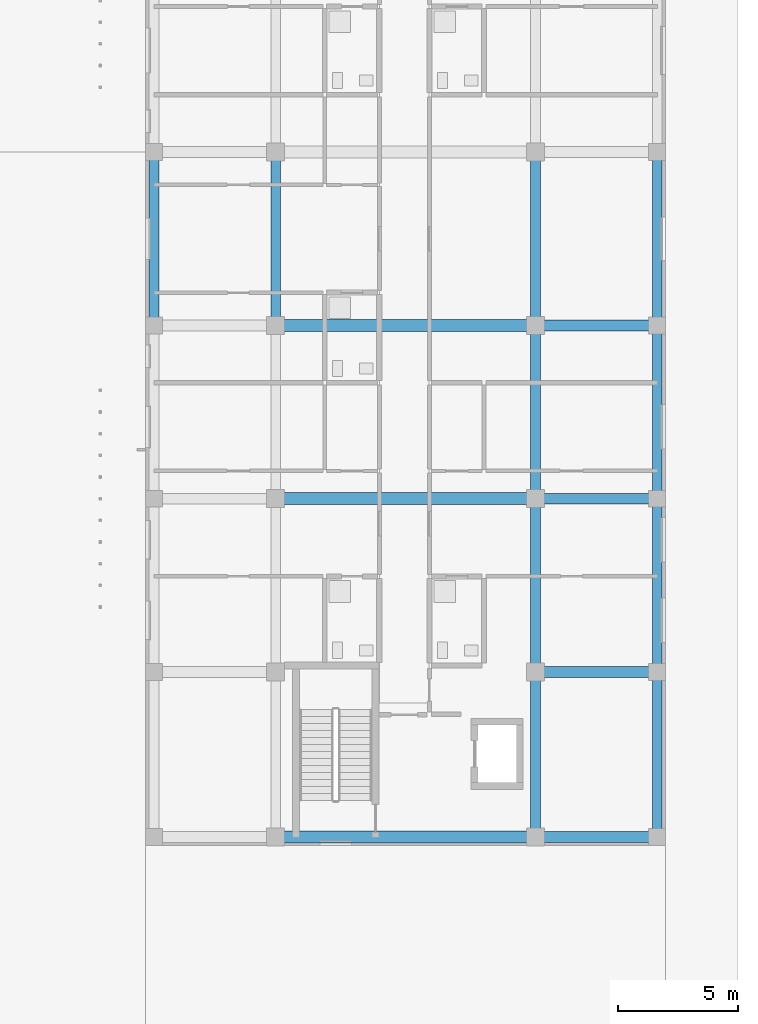
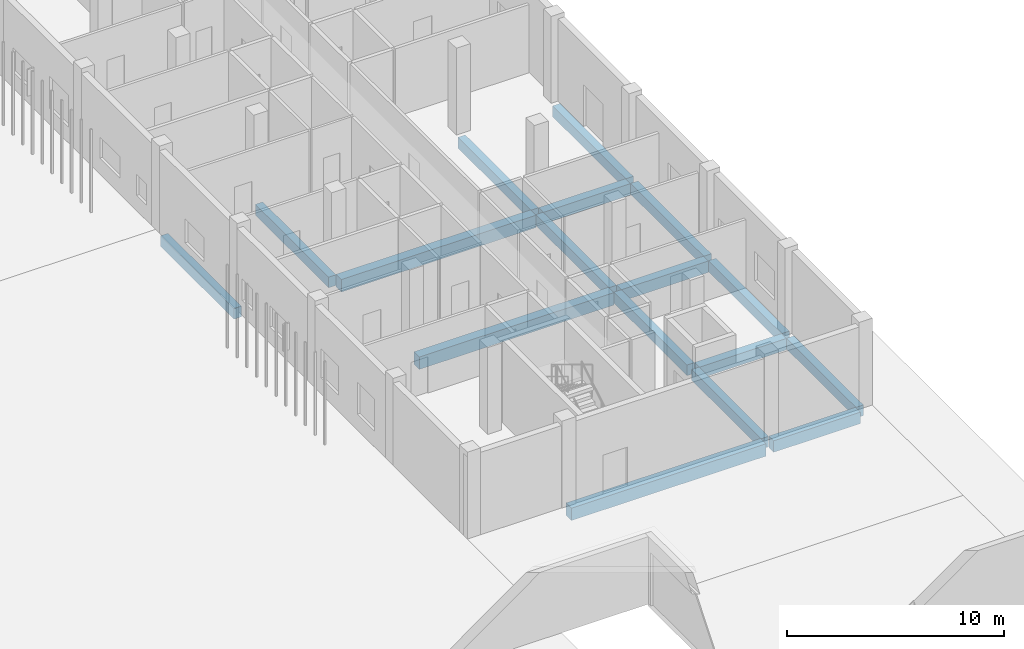
# One storey, part 27 of 85: 17 beams.
"""IFC4 building model written with IfcOpenShell, lengths in metres."""

from ifc_helpers import new_model, si_unit, derived_unit, direction, frame, origin, origin_2d, place, context, subcontext, project, spatial, rectangle, extrude, material, material_profile, profile_set, type_object, element, save


model = new_model("IFC4")

# Units and contexts
model_context = context("Model", 3, precision=1e-05, world=origin(), true_north=direction((0.0, 1.0)))
body_context = subcontext(model_context, "Body", "Model", "MODEL_VIEW")
ifc_project = project(units=[si_unit("LENGTHUNIT", "METRE"), si_unit("AREAUNIT", "SQUARE_METRE"), si_unit("VOLUMEUNIT", "CUBIC_METRE"), si_unit("PLANEANGLEUNIT", "RADIAN"), si_unit("MASSUNIT", "GRAM", prefix="KILO"), derived_unit("THERMALTRANSMITTANCEUNIT", [(si_unit("MASSUNIT", "GRAM", prefix="KILO"), 1), (si_unit("TIMEUNIT", "SECOND"), -3), (si_unit("THERMODYNAMICTEMPERATUREUNIT", "KELVIN"), -1)])], contexts=[model_context])

# Site, building, storey
site_placement = place(None, origin())
site = spatial("IfcSite", under=ifc_project, at=site_placement, CompositionType="ELEMENT")
building_placement = place(site_placement, origin())
building = spatial("IfcBuilding", under=site, at=building_placement, Name="Ochrekiln Boulevard Commons", CompositionType="ELEMENT")
storey_placement = place(building_placement, origin())
storey = spatial("IfcBuildingStorey", under=building, at=storey_placement, Name="L00", CompositionType="ELEMENT", Elevation=0.0)

# Beams
ifc_material_1 = material(Name="Concrete C35/45", Category="concrete")
ifc_material_profile_1 = material_profile(ifc_material_1, rectangle(XDim=0.39990234375, YDim=0.60009765625, at=origin_2d()), Name="RC-BM-400x600")
ifc_profile_set_1 = profile_set([ifc_material_profile_1], Name="Concrete C35/45")
beam_type_1 = type_object("IfcBeamType", Name="BM-RC-400x600", PredefinedType="BEAM", material=ifc_profile_set_1)
for number, where, z_axis, x_axis, name in (
    (1, (151.550048828125, 90.2099609375, -0.580078125), (0.0, 1.0, 0.0), (-1.0, 0.0, 0.0), "Block B L00 Beam B-4060 Y26"),
    (2, (156.60009765625, 90.2099609375, -0.580078125), (0.0, 1.0, 0.0), (-1.0, 0.0, 0.0), "Block B L00 Beam B-4060 Y33"),
):
    element("IfcBeam", number, at=place(storey_placement, frame(where, z_axis=z_axis, x_axis=x_axis)), inside=storey, type_object=beam_type_1, Name=name, PredefinedType="BEAM", context=body_context, shape_type="SweptSolid", body=[
        extrude(rectangle(XDim=0.39990234375, YDim=0.60009765625, at=origin_2d()), origin(), (0.0, 0.0, 1.0), 6.780029296875),
    ])
beam_1_placement = place(storey_placement, frame((167.39990234375, 68.9599609375, -0.580078125), z_axis=(0.0, 1.0, 0.0), x_axis=(-1.0, 0.0, 0.0)))
element("IfcBeam", 3, at=beam_1_placement, inside=storey, type_object=beam_type_1, Name="Block B L00 Beam B-4060 Y37", PredefinedType="BEAM", context=body_context, shape_type="SweptSolid", body=[
    extrude(rectangle(XDim=0.39990234375, YDim=0.60009765625, at=origin_2d()), origin(), (0.0, 0.0, 1.0), 6.429931640625),
])
for number, where, z_axis, x_axis, name in (
    (4, (167.39990234375, 75.81005859375, -0.580078125), (0.0, 1.0, 0.0), (-1.0, 0.0, 0.0), "Block B L00 Beam B-4060 Y38"),
    (5, (167.39990234375, 83.010009765625, -0.580078125), (0.0, 1.0, 0.0), (-1.0, 0.0, 0.0), "Block B L00 Beam B-4060 Y39"),
    (6, (167.39990234375, 90.2099609375, -0.580078125), (0.0, 1.0, 0.0), (-1.0, 0.0, 0.0), "Block B L00 Beam B-4060 Y40"),
):
    element("IfcBeam", number, at=place(storey_placement, frame(where, z_axis=z_axis, x_axis=x_axis)), inside=storey, type_object=beam_type_1, Name=name, PredefinedType="BEAM", context=body_context, shape_type="SweptSolid", body=[
        extrude(rectangle(XDim=0.39990234375, YDim=0.60009765625, at=origin_2d()), origin(), (0.0, 0.0, 1.0), 6.780029296875),
    ])
beam_2_placement = place(storey_placement, frame((172.449951171875, 68.9599609375, -0.580078125), z_axis=(0.0, 1.0, 0.0), x_axis=(-1.0, 0.0, 0.0)))
element("IfcBeam", 7, at=beam_2_placement, inside=storey, type_object=beam_type_1, Name="Block B L00 Beam B-4060 Y44", PredefinedType="BEAM", context=body_context, shape_type="SweptSolid", body=[
    extrude(rectangle(XDim=0.39990234375, YDim=0.60009765625, at=origin_2d()), origin(), (0.0, 0.0, 1.0), 6.429931640625),
])
for number, where, z_axis, x_axis, name in (
    (8, (172.449951171875, 75.81005859375, -0.580078125), (0.0, 1.0, 0.0), (-1.0, 0.0, 0.0), "Block B L00 Beam B-4060 Y45"),
    (9, (172.449951171875, 83.010009765625, -0.580078125), (0.0, 1.0, 0.0), (-1.0, 0.0, 0.0), "Block B L00 Beam B-4060 Y46"),
    (10, (172.449951171875, 90.2099609375, -0.580078125), (0.0, 1.0, 0.0), (-1.0, 0.0, 0.0), "Block B L00 Beam B-4060 Y47"),
):
    element("IfcBeam", number, at=place(storey_placement, frame(where, z_axis=z_axis, x_axis=x_axis)), inside=storey, type_object=beam_type_1, Name=name, PredefinedType="BEAM", context=body_context, shape_type="SweptSolid", body=[
        extrude(rectangle(XDim=0.39990234375, YDim=0.60009765625, at=origin_2d()), origin(), (0.0, 0.0, 1.0), 6.780029296875),
    ])
ifc_material_profile_2 = material_profile(ifc_material_1, rectangle(XDim=0.449951171875, YDim=0.64990234375, at=origin_2d()), Name="RC-BM-450x650")
ifc_profile_set_2 = profile_set([ifc_material_profile_2], Name="Concrete C35/45")
beam_type_2 = type_object("IfcBeamType", Name="BM-RC-450x650", PredefinedType="BEAM", material=ifc_profile_set_2)
for number, where, z_axis, x_axis, name in (
    (11, (167.610107421875, 68.75, -0.60498046875), (1.0, 0.0, 0.0), (0.0, 1.0, 0.0), "Block B L00 Beam B-4565 X3"),
    (12, (167.610107421875, 75.60009765625, -0.60498046875), (1.0, 0.0, 0.0), (0.0, 1.0, 0.0), "Block B L00 Beam B-4565 X5"),
    (13, (167.610107421875, 82.800048828125, -0.60498046875), (1.0, 0.0, 0.0), (0.0, 1.0, 0.0), "Block B L00 Beam B-4565 X8"),
    (14, (167.610107421875, 90.0, -0.60498046875), (1.0, 0.0, 0.0), (0.0, 1.0, 0.0), "Block B L00 Beam B-4565 X11"),
):
    element("IfcBeam", number, at=place(storey_placement, frame(where, z_axis=z_axis, x_axis=x_axis)), inside=storey, type_object=beam_type_2, Name=name, PredefinedType="BEAM", context=body_context, shape_type="SweptSolid", body=[
        extrude(rectangle(XDim=0.449951171875, YDim=0.64990234375, at=origin_2d()), origin(), (0.0, 0.0, 1.0), 4.6298828125),
    ])
ifc_material_2 = material(Name="Concrete C40/50", Category="concrete")
ifc_material_profile_3 = material_profile(ifc_material_2, rectangle(XDim=0.5, YDim=0.699951171875, at=origin_2d()), Name="RC-BM-500x700")
ifc_profile_set_3 = profile_set([ifc_material_profile_3], Name="Concrete C40/50")
beam_type_3 = type_object("IfcBeamType", Name="BM-RC-500x700", PredefinedType="BEAM", material=ifc_profile_set_3)
for number, where, z_axis, x_axis, name in (
    (15, (156.81005859375, 68.75, -0.6298828125), (1.0, 0.0, 0.0), (0.0, 1.0, 0.0), "Block B L00 Beam B-5070 X2"),
    (16, (156.81005859375, 82.800048828125, -0.6298828125), (1.0, 0.0, 0.0), (0.0, 1.0, 0.0), "Block B L00 Beam B-5070 X7"),
    (17, (156.81005859375, 90.0, -0.6298828125), (1.0, 0.0, 0.0), (0.0, 1.0, 0.0), "Block B L00 Beam B-5070 X10"),
):
    element("IfcBeam", number, at=place(storey_placement, frame(where, z_axis=z_axis, x_axis=x_axis)), inside=storey, type_object=beam_type_3, Name=name, PredefinedType="BEAM", context=body_context, shape_type="SweptSolid", body=[
        extrude(rectangle(XDim=0.5, YDim=0.699951171875, at=origin_2d()), origin(), (0.0, 0.0, 1.0), 10.3798828125),
    ])

save(model, "model.ifc")
